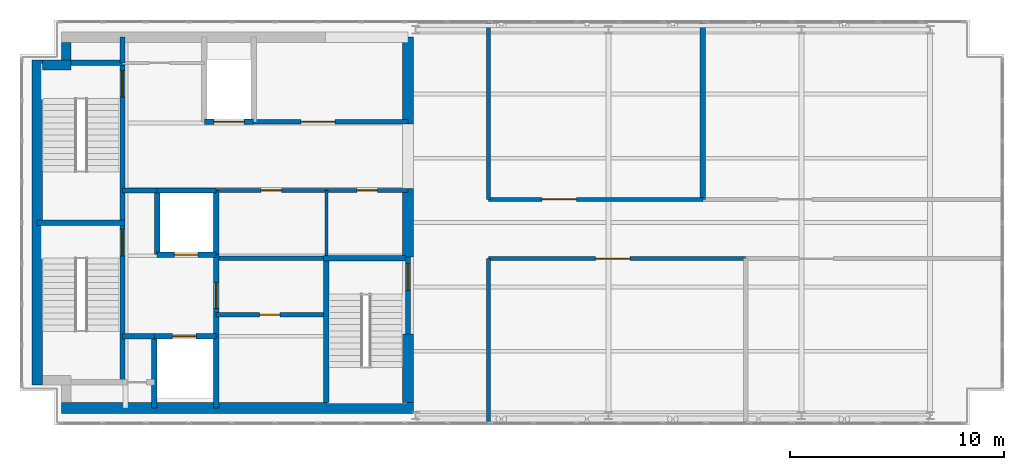
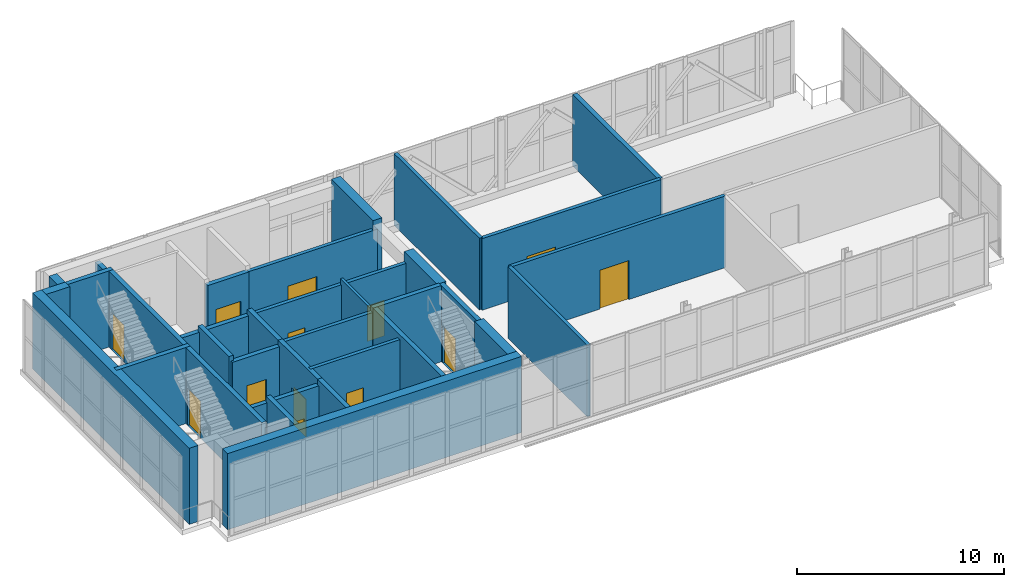
# One storey, part 18 of 21: 37 walls, 13 doors, 13 openings.
"""IFC4 building model written with IfcOpenShell, lengths in metres."""

from ifc_helpers import new_model, si_unit, direction, frame, frame_2d, origin, place, context, subcontext, project, spatial, rectangle, extrude, material, layer, layer_set, type_object, element, fill, save


model = new_model("IFC4")

# Units and contexts
model_context = context("Model", 3, precision=1e-05, world=origin(), true_north=direction((0.0, 1.0)))
body_context = subcontext(model_context, "Body", "Model", "MODEL_VIEW")
ifc_project = project(units=[si_unit("LENGTHUNIT", "METRE"), si_unit("AREAUNIT", "SQUARE_METRE"), si_unit("VOLUMEUNIT", "CUBIC_METRE"), si_unit("PLANEANGLEUNIT", "RADIAN"), si_unit("MASSUNIT", "GRAM", prefix="KILO")], contexts=[model_context])

# Site, building, storey
site_placement = place(None, origin())
site = spatial("IfcSite", under=ifc_project, at=site_placement, CompositionType="ELEMENT")
building_placement = place(site_placement, origin())
building = spatial("IfcBuilding", under=site, at=building_placement, Name="Mawjdan Bourse Tower", CompositionType="ELEMENT")
storey_placement = place(building_placement, frame((0.0, 0.0, 317.699951171875)))
storey = spatial("IfcBuildingStorey", under=building, at=storey_placement, Name="L78", CompositionType="ELEMENT", Elevation=317.699951171875)

# Wall, opening, door
ifc_material_1 = material(Name="Gypsum Fireboard Assembly")
ifc_layer_1 = layer(ifc_material_1, 0.199951171875)
ifc_layer_set_1 = layer_set([ifc_layer_1], Name="Gypsum Fireboard Assembly")
wall_type_1 = type_object("IfcWallType", Name="WL-CMP-200", PredefinedType="PARTITIONING", material=ifc_layer_set_1)
wall_1_placement = place(storey_placement, frame((16.449951171875, 16.699951171875, 0.0), z_axis=(0.0, 0.0, 1.0), x_axis=(1.0, 0.0, 0.0)))
wall_1 = element("IfcWall", 1, at=wall_1_placement, inside=storey, type_object=wall_type_1, Name="L78 Telemetry South Wall", PredefinedType="PARTITIONING", context=body_context, shape_type="SweptSolid", body=[
    extrude(rectangle(XDim=7.199951171875, YDim=0.199951171875, at=frame_2d((3.60009765625, 0.0))), origin(), (0.0, 0.0, 1.0), 3.920166015625),
])
opening_1_placement = place(wall_1_placement, frame((2.199951171875, 0.0, 0.0)))
opening_1 = element("IfcOpeningElement", 2, at=opening_1_placement, cuts=wall_1, Name="Opening PD-L78-10", PredefinedType="OPENING", context=body_context, shape_type="SweptSolid", body=[
    extrude(rectangle(XDim=1.60009765625, YDim=2.300048828125, at=frame_2d((0.800048828125, 1.14990234375))), frame((0.0, 0.10986328125, 0.0), z_axis=(0.0, -1.0, 0.0), x_axis=(1.0, 0.0, 0.0)), (0.0, 0.0, 1.0), 0.219970703125),
])
ifc_material_2 = material(Name="Fire-Rated Acoustic Steel", Category="steel")
door_type_1 = type_object("IfcDoorType", Name="FD-PLT-1600", OperationType="DOUBLE_DOOR_SINGLE_SWING", PredefinedType="DOOR", material=ifc_material_2)
door_1_placement = place(opening_1_placement, origin())
door_1 = element("IfcDoor", 3, at=door_1_placement, inside=storey, type_object=door_type_1, Name="L78 Telemetry Room Door PD-L78-10", OperationType="DOUBLE_DOOR_SINGLE_SWING", OverallHeight=2.300048828125, OverallWidth=1.60009765625, PredefinedType="DOOR", context=body_context, shape_type="SweptSolid", body=[
    extrude(rectangle(XDim=1.60009765625, YDim=2.300048828125, at=frame_2d((0.800048828125, 1.14990234375))), frame((0.0, 0.02490234375, 0.0), z_axis=(0.0, -1.0, 0.0), x_axis=(1.0, 0.0, 0.0)), (0.0, 0.0, 1.0), 0.050048828125),
])
fill(opening_1, door_1)

wall_2_placement = place(storey_placement, frame((14.699951171875, 7.699951171875, 0.0), z_axis=(0.0, 0.0, 1.0), x_axis=(1.0, 0.0, 0.0)))
wall_2 = element("IfcWall", 4, at=wall_2_placement, inside=storey, type_object=wall_type_1, Name="L78 Staff Tea Pantry North Wall", PredefinedType="PARTITIONING", context=body_context, shape_type="SweptSolid", body=[
    extrude(rectangle(XDim=5.0, YDim=0.199951171875, at=frame_2d((2.5, 0.0))), origin(), (0.0, 0.0, 1.0), 4.22998046875),
])
opening_2_placement = place(wall_2_placement, frame((2.02490234375, 0.0, 0.0)))
opening_2 = element("IfcOpeningElement", 5, at=opening_2_placement, cuts=wall_2, Name="Opening D-L78-11", PredefinedType="OPENING", context=body_context, shape_type="SweptSolid", body=[
    extrude(rectangle(XDim=0.949951171875, YDim=2.10009765625, at=frame_2d((0.47509765625, 1.050048828125))), frame((0.0, 0.10986328125, 0.0), z_axis=(0.0, -1.0, 0.0), x_axis=(1.0, 0.0, 0.0)), (0.0, 0.0, 1.0), 0.219970703125),
])
ifc_material_3 = material(Name="Moisture-Resistant Laminate Timber", Category="wood")
door_type_2 = type_object("IfcDoorType", Name="DR-WET-0950", OperationType="NOTDEFINED", PredefinedType="DOOR", material=ifc_material_3)
door_2_placement = place(opening_2_placement, origin())
door_2 = element("IfcDoor", 6, at=door_2_placement, inside=storey, type_object=door_type_2, Name="L78 Staff Tea Pantry Door D-L78-11", OperationType="SINGLE_SWING_LEFT", OverallHeight=2.10009765625, OverallWidth=0.949951171875, PredefinedType="DOOR", context=body_context, shape_type="SweptSolid", body=[
    extrude(rectangle(XDim=0.949951171875, YDim=2.10009765625, at=frame_2d((0.47509765625, 1.050048828125))), frame((0.0, 0.02490234375, 0.0), z_axis=(0.0, -1.0, 0.0), x_axis=(1.0, 0.0, 0.0)), (0.0, 0.0, 1.0), 0.050048828125),
])
fill(opening_2, door_2)

# Wall
wall_3_placement = place(storey_placement, frame((14.824951171875, 10.340087890625, 0.0), z_axis=(0.0, 0.0, 1.0), x_axis=(1.0, 0.0, 0.0)))
element("IfcWall", 7, at=wall_3_placement, inside=storey, type_object=wall_type_1, Name="L78 Core Restroom Suite South Wall", PredefinedType="PARTITIONING", context=body_context, shape_type="SweptSolid", body=[
    extrude(rectangle(XDim=4.880126953125, YDim=0.199951171875, at=frame_2d((2.43994140625, 0.0))), origin(), (0.0, 0.0, 1.0), 4.22998046875),
])

# Wall, opening, door
wall_4_placement = place(storey_placement, frame((14.699951171875, 13.5, 0.0), z_axis=(0.0, 0.0, 1.0), x_axis=(1.0, 0.0, 0.0)))
wall_4 = element("IfcWall", 8, at=wall_4_placement, inside=storey, type_object=wall_type_1, Name="L78 Accessible WC North Wall", PredefinedType="PARTITIONING", context=body_context, shape_type="SweptSolid", body=[
    extrude(rectangle(XDim=5.150146484375, YDim=0.199951171875, at=frame_2d((2.5751953125, 0.0))), origin(), (0.0, 0.0, 1.0), 3.920166015625),
])
opening_3_placement = place(wall_4_placement, frame((2.10009765625, 0.0, 0.0)))
opening_3 = element("IfcOpeningElement", 9, at=opening_3_placement, cuts=wall_4, Name="Opening D-L78-12", PredefinedType="OPENING", context=body_context, shape_type="SweptSolid", body=[
    extrude(rectangle(XDim=0.949951171875, YDim=2.10009765625, at=frame_2d((0.47509765625, 1.050048828125))), frame((0.0, 0.10986328125, 0.0), z_axis=(0.0, -1.0, 0.0), x_axis=(1.0, 0.0, 0.0)), (0.0, 0.0, 1.0), 0.219970703125),
])
door_3_placement = place(opening_3_placement, origin())
door_3 = element("IfcDoor", 10, at=door_3_placement, inside=storey, type_object=door_type_2, Name="L78 Accessible WC Door D-L78-12", OperationType="SINGLE_SWING_RIGHT", OverallHeight=2.10009765625, OverallWidth=0.949951171875, PredefinedType="DOOR", context=body_context, shape_type="SweptSolid", body=[
    extrude(rectangle(XDim=0.949951171875, YDim=2.10009765625, at=frame_2d((0.47509765625, 1.050048828125))), frame((0.0, 0.02490234375, 0.0), z_axis=(0.0, -1.0, 0.0), x_axis=(1.0, 0.0, 0.0)), (0.0, 0.0, 1.0), 0.050048828125),
])
fill(opening_3, door_3)

wall_5_placement = place(storey_placement, frame((19.85009765625, 13.5, 0.0), z_axis=(0.0, 0.0, 1.0), x_axis=(1.0, 0.0, 0.0)))
wall_5 = element("IfcWall", 11, at=wall_5_placement, inside=storey, type_object=wall_type_1, Name="L78 Executive Restroom Suite North Wall", PredefinedType="PARTITIONING", context=body_context, shape_type="SweptSolid", body=[
    extrude(rectangle(XDim=3.7998046875, YDim=0.199951171875, at=frame_2d((1.89990234375, 0.0))), origin(), (0.0, 0.0, 1.0), 3.920166015625),
])
opening_4_placement = place(wall_5_placement, frame((1.425048828125, 0.0, 0.0)))
opening_4 = element("IfcOpeningElement", 12, at=opening_4_placement, cuts=wall_5, Name="Opening D-L78-13", PredefinedType="OPENING", context=body_context, shape_type="SweptSolid", body=[
    extrude(rectangle(XDim=0.949951171875, YDim=2.10009765625, at=frame_2d((0.47509765625, 1.050048828125))), frame((0.0, 0.10986328125, 0.0), z_axis=(0.0, -1.0, 0.0), x_axis=(1.0, 0.0, 0.0)), (0.0, 0.0, 1.0), 0.219970703125),
])
door_4_placement = place(opening_4_placement, origin())
door_4 = element("IfcDoor", 13, at=door_4_placement, inside=storey, type_object=door_type_2, Name="L78 Executive Restroom Suite Door D-L78-13", OperationType="SINGLE_SWING_LEFT", OverallHeight=2.10009765625, OverallWidth=0.949951171875, PredefinedType="DOOR", context=body_context, shape_type="SweptSolid", body=[
    extrude(rectangle(XDim=0.949951171875, YDim=2.10009765625, at=frame_2d((0.47509765625, 1.050048828125))), frame((0.0, 0.02490234375, 0.0), z_axis=(0.0, -1.0, 0.0), x_axis=(1.0, 0.0, 0.0)), (0.0, 0.0, 1.0), 0.050048828125),
])
fill(opening_4, door_4)

# Wall
wall_6_placement = place(storey_placement, frame((27.39990234375, 2.659912109375, 0.0), z_axis=(0.0, 0.0, 1.0), x_axis=(0.0, 1.0, 0.0)))
element("IfcWall", 14, at=wall_6_placement, inside=storey, type_object=wall_type_1, Name="L78 AHU West Vestibule Wall", PredefinedType="PARTITIONING", context=body_context, shape_type="SweptSolid", body=[
    extrude(rectangle(XDim=7.66015625, YDim=0.199951171875, at=frame_2d((3.830078125, 0.0))), origin(), (0.0, 0.0, 1.0), 4.22998046875),
])

# Wall, opening, door
wall_7_placement = place(storey_placement, frame((27.39990234375, 10.320068359375, 0.0), z_axis=(0.0, 0.0, 1.0), x_axis=(1.0, 0.0, 0.0)))
wall_7 = element("IfcWall", 15, at=wall_7_placement, inside=storey, type_object=wall_type_1, Name="L78 AHU Plant North Wall", PredefinedType="PARTITIONING", context=body_context, shape_type="SweptSolid", body=[
    extrude(rectangle(XDim=12.0, YDim=0.199951171875, at=frame_2d((6.0, 0.0))), origin(), (0.0, 0.0, 1.0), 4.22998046875),
])
opening_5_placement = place(wall_7_placement, frame((5.0, 0.0, 0.0)))
opening_5 = element("IfcOpeningElement", 16, at=opening_5_placement, cuts=wall_7, Name="Opening PD-L78-15", PredefinedType="OPENING", context=body_context, shape_type="SweptSolid", body=[
    extrude(rectangle(XDim=1.60009765625, YDim=2.300048828125, at=frame_2d((0.800048828125, 1.14990234375))), frame((0.0, 0.10986328125, 0.0), z_axis=(0.0, -1.0, 0.0), x_axis=(1.0, 0.0, 0.0)), (0.0, 0.0, 1.0), 0.219970703125),
])
door_5_placement = place(opening_5_placement, origin())
door_5 = element("IfcDoor", 17, at=door_5_placement, inside=storey, type_object=door_type_1, Name="L78 AHU Plant Door PD-L78-15", OperationType="DOUBLE_DOOR_SINGLE_SWING", OverallHeight=2.300048828125, OverallWidth=1.60009765625, PredefinedType="DOOR", context=body_context, shape_type="SweptSolid", body=[
    extrude(rectangle(XDim=1.60009765625, YDim=2.300048828125, at=frame_2d((0.800048828125, 1.14990234375))), frame((0.0, 0.02490234375, 0.0), z_axis=(0.0, -1.0, 0.0), x_axis=(1.0, 0.0, 0.0)), (0.0, 0.0, 1.0), 0.050048828125),
])
fill(opening_5, door_5)

# Wall
wall_8_placement = place(storey_placement, frame((27.39990234375, 13.080078125, 0.0), z_axis=(0.0, 0.0, 1.0), x_axis=(0.0, 1.0, 0.0)))
element("IfcWall", 18, at=wall_8_placement, inside=storey, type_object=wall_type_1, Name="L78 Crown Plant West Wall", PredefinedType="PARTITIONING", context=body_context, shape_type="SweptSolid", body=[
    extrude(rectangle(XDim=8.260009765625, YDim=0.199951171875, at=frame_2d((4.1298828125, 0.0))), origin(), (0.0, 0.0, 1.0), 4.22998046875),
])

# Wall, opening, door
wall_9_placement = place(storey_placement, frame((27.39990234375, 13.080078125, 0.0), z_axis=(0.0, 0.0, 1.0), x_axis=(1.0, 0.0, 0.0)))
wall_9 = element("IfcWall", 19, at=wall_9_placement, inside=storey, type_object=wall_type_1, Name="L78 Crown Plant South Wall", PredefinedType="PARTITIONING", context=body_context, shape_type="SweptSolid", body=[
    extrude(rectangle(XDim=10.0, YDim=0.199951171875, at=frame_2d((5.0, 0.0))), origin(), (0.0, 0.0, 1.0), 4.22998046875),
])
opening_6_placement = place(wall_9_placement, frame((2.5, 0.0, 0.0)))
opening_6 = element("IfcOpeningElement", 20, at=opening_6_placement, cuts=wall_9, Name="Opening PD-L78-17", PredefinedType="OPENING", context=body_context, shape_type="SweptSolid", body=[
    extrude(rectangle(XDim=1.60009765625, YDim=2.300048828125, at=frame_2d((0.800048828125, 1.14990234375))), frame((0.0, 0.10986328125, 0.0), z_axis=(0.0, -1.0, 0.0), x_axis=(1.0, 0.0, 0.0)), (0.0, 0.0, 1.0), 0.219970703125),
])
door_6_placement = place(opening_6_placement, origin())
door_6 = element("IfcDoor", 21, at=door_6_placement, inside=storey, type_object=door_type_1, Name="L78 Crown Plant Door 1 PD-L78-17", OperationType="DOUBLE_DOOR_SINGLE_SWING", OverallHeight=2.300048828125, OverallWidth=1.60009765625, PredefinedType="DOOR", context=body_context, shape_type="SweptSolid", body=[
    extrude(rectangle(XDim=1.60009765625, YDim=2.300048828125, at=frame_2d((0.800048828125, 1.14990234375))), frame((0.0, 0.02490234375, 0.0), z_axis=(0.0, -1.0, 0.0), x_axis=(1.0, 0.0, 0.0)), (0.0, 0.0, 1.0), 0.050048828125),
])
fill(opening_6, door_6)

# Walls
ifc_material_4 = material(Name="Concrete C60/75", Category="concrete")
ifc_layer_2 = layer(ifc_material_4, 0.449951171875)
ifc_layer_set_2 = layer_set([ifc_layer_2], Name="Concrete C60/75")
wall_type_2 = type_object("IfcWallType", Name="WL-CORE-450", PredefinedType="SHEAR", material=ifc_layer_set_2)
wall_10_placement = place(storey_placement, frame((6.60009765625, 19.35009765625, 0.0), z_axis=(0.0, 0.0, 1.0), x_axis=(1.0, 0.0, 0.0)))
element("IfcWall", 22, at=wall_10_placement, inside=storey, type_object=wall_type_2, Name="L78 Rear Core Shear Wall NW-X", PredefinedType="SHEAR", context=body_context, shape_type="SweptSolid", body=[
    extrude(rectangle(XDim=1.324951171875, YDim=0.449951171875, at=frame_2d((0.66259765625, 0.0))), origin(), (0.0, 0.0, 1.0), 4.5),
])
wall_11_placement = place(storey_placement, frame((7.699951171875, 19.574951171875, 0.0), z_axis=(0.0, 0.0, 1.0), x_axis=(0.0, 1.0, 0.0)))
element("IfcWall", 23, at=wall_11_placement, inside=storey, type_object=wall_type_2, Name="L78 Rear Core Shear Wall NW-Y", PredefinedType="SHEAR", context=body_context, shape_type="SweptSolid", body=[
    extrude(rectangle(XDim=0.824951171875, YDim=0.449951171875, at=frame_2d((0.41259765625, 0.0))), origin(), (0.0, 0.0, 1.0), 4.5),
])
ifc_layer_3 = layer(ifc_material_4, 0.5)
ifc_layer_set_3 = layer_set([ifc_layer_3], Name="Concrete C60/75")
wall_type_3 = type_object("IfcWallType", Name="WL-CORE-500", PredefinedType="SHEAR", material=ifc_layer_set_3)
wall_12_placement = place(storey_placement, frame((7.47509765625, 3.35009765625, 0.0), z_axis=(0.0, 0.0, 1.0), x_axis=(1.0, 0.0, 0.0)))
element("IfcWall", 24, at=wall_12_placement, inside=storey, type_object=wall_type_3, Name="L78 Rear Core Shear Wall S", PredefinedType="SHEAR", context=body_context, shape_type="SweptSolid", body=[
    extrude(rectangle(XDim=16.4248046875, YDim=0.5, at=frame_2d((8.21240234375, 0.0))), origin(), (0.0, 0.0, 1.0), 4.5),
])
wall_13_placement = place(storey_placement, frame((6.35009765625, 4.425048828125, 0.0), z_axis=(0.0, 0.0, 1.0), x_axis=(0.0, 1.0, 0.0)))
element("IfcWall", 25, at=wall_13_placement, inside=storey, type_object=wall_type_3, Name="L78 Rear Core Shear Wall W", PredefinedType="SHEAR", context=body_context, shape_type="SweptSolid", body=[
    extrude(rectangle(XDim=15.14990234375, YDim=0.5, at=frame_2d((7.574951171875, 0.0))), origin(), (0.0, 0.0, 1.0), 4.5),
])
wall_14_placement = place(storey_placement, frame((23.64990234375, 3.60009765625, 0.0), z_axis=(0.0, 0.0, 1.0), x_axis=(0.0, 1.0, 0.0)))
element("IfcWall", 26, at=wall_14_placement, inside=storey, type_object=wall_type_3, Name="L78 Rear Core Shear Wall E1", PredefinedType="SHEAR", context=body_context, shape_type="SweptSolid", body=[
    extrude(rectangle(XDim=3.199951171875, YDim=0.5, at=frame_2d((1.60009765625, 0.0))), origin(), (0.0, 0.0, 1.0), 4.5),
])
wall_15_placement = place(storey_placement, frame((23.64990234375, 10.39990234375, 0.0), z_axis=(0.0, 0.0, 1.0), x_axis=(0.0, 1.0, 0.0)))
element("IfcWall", 27, at=wall_15_placement, inside=storey, type_object=wall_type_3, Name="L78 Rear Core Shear Wall E2", PredefinedType="SHEAR", context=body_context, shape_type="SweptSolid", body=[
    extrude(rectangle(XDim=3.2001953125, YDim=0.5, at=frame_2d((1.60009765625, 0.0))), origin(), (0.0, 0.0, 1.0), 4.5),
])
wall_16_placement = place(storey_placement, frame((23.64990234375, 16.60009765625, 0.0), z_axis=(0.0, 0.0, 1.0), x_axis=(0.0, 1.0, 0.0)))
element("IfcWall", 28, at=wall_16_placement, inside=storey, type_object=wall_type_3, Name="L78 Rear Core Shear Wall E3", PredefinedType="SHEAR", context=body_context, shape_type="SweptSolid", body=[
    extrude(rectangle(XDim=4.0498046875, YDim=0.5, at=frame_2d((2.02490234375, 0.0))), origin(), (0.0, 0.0, 1.0), 4.5),
])
ifc_material_5 = material(Name="Gypsum Acoustic Partition")
ifc_layer_4 = layer(ifc_material_5, 0.14990234375)
ifc_layer_set_4 = layer_set([ifc_layer_4], Name="Gypsum Acoustic Partition")
wall_type_4 = type_object("IfcWallType", Name="WL-PRT-150", PredefinedType="PARTITIONING", material=ifc_layer_set_4)
wall_17_placement = place(storey_placement, frame((19.85009765625, 10.465087890625, 0.0), z_axis=(0.0, 0.0, 1.0), x_axis=(0.0, 1.0, 0.0)))
element("IfcWall", 29, at=wall_17_placement, inside=storey, type_object=wall_type_4, Name="L78 Executive Restroom Suite Split Wall", PredefinedType="PARTITIONING", context=body_context, shape_type="SweptSolid", body=[
    extrude(rectangle(XDim=3.034912109375, YDim=0.14990234375, at=frame_2d((1.517578125, 0.0))), origin(), (0.0, 0.0, 1.0), 4.22998046875),
])
ifc_material_6 = material(Name="Concrete C50/60", Category="concrete")
ifc_layer_5 = layer(ifc_material_6, 0.25)
ifc_layer_set_5 = layer_set([ifc_layer_5], Name="Concrete C50/60")
wall_type_5 = type_object("IfcWallType", Name="WL-SHFT-250", PredefinedType="PARTITIONING", material=ifc_layer_set_5)
wall_18_placement = place(storey_placement, frame((11.820068359375, 3.35009765625, 0.0), z_axis=(0.0, 0.0, 1.0), x_axis=(0.0, 1.0, 0.0)))
element("IfcWall", 30, at=wall_18_placement, inside=storey, type_object=wall_type_5, Name="L78 SW Riser & FFL01 West Wall", PredefinedType="PARTITIONING", context=body_context, shape_type="SweptSolid", body=[
    extrude(rectangle(XDim=3.349853515625, YDim=0.25, at=frame_2d((1.6748046875, 0.0))), origin(), (0.0, 0.0, 1.0), 4.22998046875),
])
wall_19_placement = place(storey_placement, frame((10.330078125, 19.449951171875, 0.0), z_axis=(0.0, 0.0, 1.0), x_axis=(0.0, 1.0, 0.0)))
element("IfcWall", 31, at=wall_19_placement, inside=storey, type_object=wall_type_5, Name="L78 NW Riser East Wall", PredefinedType="PARTITIONING", context=body_context, shape_type="SweptSolid", body=[
    extrude(rectangle(XDim=1.199951171875, YDim=0.25, at=frame_2d((0.60009765625, 0.0))), origin(), (0.0, 0.0, 1.0), 4.22998046875),
])

# Wall, opening, door
wall_20_placement = place(storey_placement, frame((11.820068359375, 6.699951171875, 0.0), z_axis=(0.0, 0.0, 1.0), x_axis=(1.0, 0.0, 0.0)))
wall_20 = element("IfcWall", 32, at=wall_20_placement, inside=storey, type_object=wall_type_5, Name="L78 FFL-01 Front Shaft Wall", PredefinedType="PARTITIONING", context=body_context, shape_type="SweptSolid", body=[
    extrude(rectangle(XDim=2.8798828125, YDim=0.25, at=frame_2d((1.43994140625, 0.0))), origin(), (0.0, 0.0, 1.0), 3.920166015625),
])
opening_7_placement = place(wall_20_placement, frame((0.85009765625, 0.0, 0.0)))
opening_7 = element("IfcOpeningElement", 33, at=opening_7_placement, cuts=wall_20, Name="Opening LD-L78-05", PredefinedType="OPENING", context=body_context, shape_type="SweptSolid", body=[
    extrude(rectangle(XDim=1.10009765625, YDim=2.25, at=frame_2d((0.550048828125, 1.125))), frame((0.0, 0.135009765625, 0.0), z_axis=(0.0, -1.0, 0.0), x_axis=(1.0, 0.0, 0.0)), (0.0, 0.0, 1.0), 0.27001953125),
])
ifc_material_7 = material(Name="Brushed Stainless Steel", Category="steel")
door_type_3 = type_object("IfcDoorType", Name="LD-FFL-1100", OperationType="DOUBLE_DOOR_SLIDING", PredefinedType="DOOR", material=ifc_material_7)
door_7_placement = place(opening_7_placement, origin())
door_7 = element("IfcDoor", 34, at=door_7_placement, inside=storey, type_object=door_type_3, Name="L78 Firefighting Lift FFL-01 Landing Door LD-L78-05", OperationType="DOUBLE_DOOR_SLIDING", OverallHeight=2.25, OverallWidth=1.10009765625, PredefinedType="DOOR", context=body_context, shape_type="SweptSolid", body=[
    extrude(rectangle(XDim=1.10009765625, YDim=2.25, at=frame_2d((0.550048828125, 1.125))), frame((0.0, 0.02490234375, 0.0), z_axis=(0.0, -1.0, 0.0), x_axis=(1.0, 0.0, 0.0)), (0.0, 0.0, 1.0), 0.050048828125),
])
fill(opening_7, door_7)

# Wall
wall_21_placement = place(storey_placement, frame((14.699951171875, 3.35009765625, 0.0), z_axis=(0.0, 0.0, 1.0), x_axis=(0.0, 1.0, 0.0)))
element("IfcWall", 35, at=wall_21_placement, inside=storey, type_object=wall_type_5, Name="L78 FFL-01 East Shaft Wall", PredefinedType="PARTITIONING", context=body_context, shape_type="SweptSolid", body=[
    extrude(rectangle(XDim=3.349853515625, YDim=0.25, at=frame_2d((1.6748046875, 0.0))), origin(), (0.0, 0.0, 1.0), 4.22998046875),
])

# Wall, opening, door
wall_22_placement = place(storey_placement, frame((11.949951171875, 10.5, 0.0), z_axis=(0.0, 0.0, 1.0), x_axis=(1.0, 0.0, 0.0)))
wall_22 = element("IfcWall", 36, at=wall_22_placement, inside=storey, type_object=wall_type_5, Name="L78 FFL-02 Front Shaft Wall", PredefinedType="PARTITIONING", context=body_context, shape_type="SweptSolid", body=[
    extrude(rectangle(XDim=2.75, YDim=0.25, at=frame_2d((1.375, 0.0))), origin(), (0.0, 0.0, 1.0), 3.920166015625),
])
opening_8_placement = place(wall_22_placement, frame((0.800048828125, 0.0, 0.0)))
opening_8 = element("IfcOpeningElement", 37, at=opening_8_placement, cuts=wall_22, Name="Opening LD-L78-06", PredefinedType="OPENING", context=body_context, shape_type="SweptSolid", body=[
    extrude(rectangle(XDim=1.10009765625, YDim=2.25, at=frame_2d((0.550048828125, 1.125))), frame((0.0, 0.135009765625, 0.0), z_axis=(0.0, -1.0, 0.0), x_axis=(1.0, 0.0, 0.0)), (0.0, 0.0, 1.0), 0.27001953125),
])
door_8_placement = place(opening_8_placement, origin())
door_8 = element("IfcDoor", 38, at=door_8_placement, inside=storey, type_object=door_type_3, Name="L78 Firefighting Lift FFL-02 Landing Door LD-L78-06", OperationType="DOUBLE_DOOR_SLIDING", OverallHeight=2.25, OverallWidth=1.10009765625, PredefinedType="DOOR", context=body_context, shape_type="SweptSolid", body=[
    extrude(rectangle(XDim=1.10009765625, YDim=2.25, at=frame_2d((0.550048828125, 1.125))), frame((0.0, 0.02490234375, 0.0), z_axis=(0.0, -1.0, 0.0), x_axis=(1.0, 0.0, 0.0)), (0.0, 0.0, 1.0), 0.050048828125),
])
fill(opening_8, door_8)

# Walls
wall_23_placement = place(storey_placement, frame((11.949951171875, 10.5, 0.0), z_axis=(0.0, 0.0, 1.0), x_axis=(0.0, 1.0, 0.0)))
element("IfcWall", 39, at=wall_23_placement, inside=storey, type_object=wall_type_5, Name="L78 FFL-02 West Shaft Wall", PredefinedType="PARTITIONING", context=body_context, shape_type="SweptSolid", body=[
    extrude(rectangle(XDim=3.0, YDim=0.25, at=frame_2d((1.5, 0.0))), origin(), (0.0, 0.0, 1.0), 4.22998046875),
])
wall_24_placement = place(storey_placement, frame((11.949951171875, 13.5, 0.0), z_axis=(0.0, 0.0, 1.0), x_axis=(1.0, 0.0, 0.0)))
element("IfcWall", 40, at=wall_24_placement, inside=storey, type_object=wall_type_5, Name="L78 FFL-02 North Shaft Wall", PredefinedType="PARTITIONING", context=body_context, shape_type="SweptSolid", body=[
    extrude(rectangle(XDim=2.75, YDim=0.25, at=frame_2d((1.375, 0.0))), origin(), (0.0, 0.0, 1.0), 3.920166015625),
])
wall_25_placement = place(storey_placement, frame((14.699951171875, 10.5, 0.0), z_axis=(0.0, 0.0, 1.0), x_axis=(0.0, 1.0, 0.0)))
element("IfcWall", 41, at=wall_25_placement, inside=storey, type_object=wall_type_5, Name="L78 FFL-02 East Shaft Wall", PredefinedType="PARTITIONING", context=body_context, shape_type="SweptSolid", body=[
    extrude(rectangle(XDim=3.0, YDim=0.25, at=frame_2d((1.5, 0.0))), origin(), (0.0, 0.0, 1.0), 4.22998046875),
])

# Wall, opening, door
wall_26_placement = place(storey_placement, frame((14.699951171875, 6.699951171875, 0.0), z_axis=(0.0, 0.0, 1.0), x_axis=(0.0, 1.0, 0.0)))
wall_26 = element("IfcWall", 42, at=wall_26_placement, inside=storey, type_object=wall_type_5, Name="L78 Firefighting Lobby East Compartment Wall", PredefinedType="PARTITIONING", context=body_context, shape_type="SweptSolid", body=[
    extrude(rectangle(XDim=3.800048828125, YDim=0.25, at=frame_2d((1.89990234375, 0.0))), origin(), (0.0, 0.0, 1.0), 4.22998046875),
])
opening_9_placement = place(wall_26_placement, frame((1.300048828125, 0.0, 0.0)))
opening_9 = element("IfcOpeningElement", 43, at=opening_9_placement, cuts=wall_26, Name="Opening FD-L78-07", PredefinedType="OPENING", context=body_context, shape_type="SweptSolid", body=[
    extrude(rectangle(XDim=1.199951171875, YDim=2.199951171875, at=frame_2d((0.60009765625, 1.10009765625))), frame((0.0, 0.135009765625, 0.0), z_axis=(0.0, -1.0, 0.0), x_axis=(1.0, 0.0, 0.0)), (0.0, 0.0, 1.0), 0.27001953125),
])
ifc_material_8 = material(Name="Fire-Rated Steel Leaf", Category="steel")
door_type_4 = type_object("IfcDoorType", Name="FD-FFL-1200", OperationType="NOTDEFINED", PredefinedType="DOOR", material=ifc_material_8)
door_9_placement = place(opening_9_placement, origin())
door_9 = element("IfcDoor", 44, at=door_9_placement, inside=storey, type_object=door_type_4, Name="L78 Firefighting Lobby East Smoke Door FD-L78-07", OperationType="SINGLE_SWING_LEFT", OverallHeight=2.199951171875, OverallWidth=1.199951171875, PredefinedType="DOOR", context=body_context, shape_type="SweptSolid", body=[
    extrude(rectangle(XDim=1.199951171875, YDim=2.199951171875, at=frame_2d((0.60009765625, 1.10009765625))), frame((0.0, 0.02490234375, 0.0), z_axis=(0.0, -1.0, 0.0), x_axis=(1.0, 0.0, 0.0)), (0.0, 0.0, 1.0), 0.050048828125),
])
fill(opening_9, door_9)

# Walls
wall_27_placement = place(storey_placement, frame((10.330078125, 13.5, 0.0), z_axis=(0.0, 0.0, 1.0), x_axis=(1.0, 0.0, 0.0)))
element("IfcWall", 45, at=wall_27_placement, inside=storey, type_object=wall_type_5, Name="L78 Firefighting Lobby North Compartment Wall", PredefinedType="PARTITIONING", context=body_context, shape_type="SweptSolid", body=[
    extrude(rectangle(XDim=1.619873046875, YDim=0.25, at=frame_2d((0.81005859375, 0.0))), origin(), (0.0, 0.0, 1.0), 3.920166015625),
])
wall_28_placement = place(storey_placement, frame((10.330078125, 6.699951171875, 0.0), z_axis=(0.0, 0.0, 1.0), x_axis=(1.0, 0.0, 0.0)))
element("IfcWall", 46, at=wall_28_placement, inside=storey, type_object=wall_type_5, Name="L78 Firefighting Lobby South Closure Wall", PredefinedType="PARTITIONING", context=body_context, shape_type="SweptSolid", body=[
    extrude(rectangle(XDim=1.489990234375, YDim=0.25, at=frame_2d((0.7451171875, 0.0))), origin(), (0.0, 0.0, 1.0), 3.920166015625),
])

# Wall, opening, door
wall_29_placement = place(storey_placement, frame((14.14990234375, 16.699951171875, 0.0), z_axis=(0.0, 0.0, 1.0), x_axis=(1.0, 0.0, 0.0)))
wall_29 = element("IfcWall", 47, at=wall_29_placement, inside=storey, type_object=wall_type_5, Name="L78 SVL-01 Front Shaft Wall", PredefinedType="PARTITIONING", context=body_context, shape_type="SweptSolid", body=[
    extrude(rectangle(XDim=2.300048828125, YDim=0.25, at=frame_2d((1.14990234375, 0.0))), origin(), (0.0, 0.0, 1.0), 3.920166015625),
])
opening_10_placement = place(wall_29_placement, frame((0.449951171875, 0.0, 0.0)))
opening_10 = element("IfcOpeningElement", 48, at=opening_10_placement, cuts=wall_29, Name="Opening LD-L78-09", PredefinedType="OPENING", context=body_context, shape_type="SweptSolid", body=[
    extrude(rectangle(XDim=1.39990234375, YDim=2.35009765625, at=frame_2d((0.699951171875, 1.175048828125))), frame((0.0, 0.135009765625, 0.0), z_axis=(0.0, -1.0, 0.0), x_axis=(1.0, 0.0, 0.0)), (0.0, 0.0, 1.0), 0.27001953125),
])
ifc_material_9 = material(Name="Heavy-Duty Stainless Steel", Category="steel")
door_type_5 = type_object("IfcDoorType", Name="LD-SRV-1400", OperationType="DOUBLE_DOOR_SLIDING", PredefinedType="DOOR", material=ifc_material_9)
door_10_placement = place(opening_10_placement, origin())
door_10 = element("IfcDoor", 49, at=door_10_placement, inside=storey, type_object=door_type_5, Name="L78 Service Lift SVL-01 Landing Door LD-L78-09", OperationType="DOUBLE_DOOR_SLIDING", OverallHeight=2.35009765625, OverallWidth=1.39990234375, PredefinedType="DOOR", context=body_context, shape_type="SweptSolid", body=[
    extrude(rectangle(XDim=1.39990234375, YDim=2.35009765625, at=frame_2d((0.699951171875, 1.175048828125))), frame((0.0, 0.02490234375, 0.0), z_axis=(0.0, -1.0, 0.0), x_axis=(1.0, 0.0, 0.0)), (0.0, 0.0, 1.0), 0.050048828125),
])
fill(opening_10, door_10)

# Walls
wall_30_placement = place(storey_placement, frame((37.39990234375, 13.080078125, 0.0), z_axis=(0.0, 0.0, 1.0), x_axis=(0.0, 1.0, 0.0)))
element("IfcWall", 50, at=wall_30_placement, inside=storey, type_object=wall_type_5, Name="L78 Switchgear West Firewall", PredefinedType="PARTITIONING", context=body_context, shape_type="SweptSolid", body=[
    extrude(rectangle(XDim=8.260009765625, YDim=0.25, at=frame_2d((4.1298828125, 0.0))), origin(), (0.0, 0.0, 1.0), 4.22998046875),
])
ifc_layer_6 = layer(ifc_material_6, 0.25)
ifc_layer_set_6 = layer_set([ifc_layer_6], Name="Concrete C50/60")
wall_type_6 = type_object("IfcWallType", Name="WL-STRW-250", PredefinedType="SHEAR", material=ifc_layer_set_6)
wall_31_placement = place(storey_placement, frame((6.35009765625, 12.0, 0.0), z_axis=(0.0, 0.0, 1.0), x_axis=(1.0, 0.0, 0.0)))
element("IfcWall", 51, at=wall_31_placement, inside=storey, type_object=wall_type_6, Name="L78 Stairwell Dividing Shaft Wall", PredefinedType="SHEAR", context=body_context, shape_type="SweptSolid", body=[
    extrude(rectangle(XDim=4.10498046875, YDim=0.25, at=frame_2d((2.052490234375, 0.0))), origin(), (0.0, 0.0, 1.0), 4.5),
])
wall_32_placement = place(storey_placement, frame((7.699951171875, 19.449951171875, 0.0), z_axis=(0.0, 0.0, 1.0), x_axis=(1.0, 0.0, 0.0)))
element("IfcWall", 52, at=wall_32_placement, inside=storey, type_object=wall_type_6, Name="L78 Stairwell ST2 North Shaft Wall", PredefinedType="SHEAR", context=body_context, shape_type="SweptSolid", body=[
    extrude(rectangle(XDim=2.755126953125, YDim=0.25, at=frame_2d((1.37744140625, 0.0))), origin(), (0.0, 0.0, 1.0), 4.5),
])

# Wall, opening, door
wall_33_placement = place(storey_placement, frame((10.330078125, 4.550048828125, 0.0), z_axis=(0.0, 0.0, 1.0), x_axis=(0.0, 1.0, 0.0)))
wall_33 = element("IfcWall", 53, at=wall_33_placement, inside=storey, type_object=wall_type_6, Name="L78 Stairwell ST1 East Enclosure Wall", PredefinedType="SHEAR", context=body_context, shape_type="SweptSolid", body=[
    extrude(rectangle(XDim=7.449951171875, YDim=0.25, at=frame_2d((3.72509765625, 0.0))), origin(), (0.0, 0.0, 1.0), 4.5),
])
opening_11_placement = place(wall_33_placement, frame((5.89990234375, 0.0, 0.0)))
opening_11 = element("IfcOpeningElement", 54, at=opening_11_placement, cuts=wall_33, Name="Opening SD-L78-01", PredefinedType="OPENING", context=body_context, shape_type="SweptSolid", body=[
    extrude(rectangle(XDim=1.25, YDim=2.199951171875, at=frame_2d((0.625, 1.10009765625))), frame((0.0, 0.135009765625, 0.0), z_axis=(0.0, -1.0, 0.0), x_axis=(1.0, 0.0, 0.0)), (0.0, 0.0, 1.0), 0.27001953125),
])
door_type_6 = type_object("IfcDoorType", Name="FD-ST-1250", OperationType="NOTDEFINED", PredefinedType="DOOR", material=ifc_material_8)
door_11_placement = place(opening_11_placement, origin())
door_11 = element("IfcDoor", 55, at=door_11_placement, inside=storey, type_object=door_type_6, Name="L78 Exit Stair ST1 Fire Door SD-L78-01", OperationType="SINGLE_SWING_LEFT", OverallHeight=2.199951171875, OverallWidth=1.25, PredefinedType="DOOR", context=body_context, shape_type="SweptSolid", body=[
    extrude(rectangle(XDim=1.25, YDim=2.199951171875, at=frame_2d((0.625, 1.10009765625))), frame((0.0, 0.02490234375, 0.0), z_axis=(0.0, -1.0, 0.0), x_axis=(1.0, 0.0, 0.0)), (0.0, 0.0, 1.0), 0.050048828125),
])
fill(opening_11, door_11)

wall_34_placement = place(storey_placement, frame((10.330078125, 12.0, 0.0), z_axis=(0.0, 0.0, 1.0), x_axis=(0.0, 1.0, 0.0)))
wall_34 = element("IfcWall", 56, at=wall_34_placement, inside=storey, type_object=wall_type_6, Name="L78 Stairwell ST2 East Enclosure Wall", PredefinedType="SHEAR", context=body_context, shape_type="SweptSolid", body=[
    extrude(rectangle(XDim=7.449951171875, YDim=0.25, at=frame_2d((3.72509765625, 0.0))), origin(), (0.0, 0.0, 1.0), 4.5),
])
opening_12_placement = place(wall_34_placement, frame((5.85009765625, 0.0, 0.0)))
opening_12 = element("IfcOpeningElement", 57, at=opening_12_placement, cuts=wall_34, Name="Opening SD-L78-02", PredefinedType="OPENING", context=body_context, shape_type="SweptSolid", body=[
    extrude(rectangle(XDim=1.25, YDim=2.199951171875, at=frame_2d((0.625, 1.10009765625))), frame((0.0, 0.135009765625, 0.0), z_axis=(0.0, -1.0, 0.0), x_axis=(1.0, 0.0, 0.0)), (0.0, 0.0, 1.0), 0.27001953125),
])
door_12_placement = place(opening_12_placement, origin())
door_12 = element("IfcDoor", 58, at=door_12_placement, inside=storey, type_object=door_type_6, Name="L78 Exit Stair ST2 Fire Door SD-L78-02", OperationType="SINGLE_SWING_RIGHT", OverallHeight=2.199951171875, OverallWidth=1.25, PredefinedType="DOOR", context=body_context, shape_type="SweptSolid", body=[
    extrude(rectangle(XDim=1.25, YDim=2.199951171875, at=frame_2d((0.625, 1.10009765625))), frame((0.0, 0.02490234375, 0.0), z_axis=(0.0, -1.0, 0.0), x_axis=(1.0, 0.0, 0.0)), (0.0, 0.0, 1.0), 0.050048828125),
])
fill(opening_12, door_12)

# Walls
wall_35_placement = place(storey_placement, frame((19.830078125, 3.60009765625, 0.0), z_axis=(0.0, 0.0, 1.0), x_axis=(0.0, 1.0, 0.0)))
element("IfcWall", 59, at=wall_35_placement, inside=storey, type_object=wall_type_6, Name="L78 ST7 West Shaft Wall", PredefinedType="SHEAR", context=body_context, shape_type="SweptSolid", body=[
    extrude(rectangle(XDim=6.739990234375, YDim=0.25, at=frame_2d((3.3701171875, 0.0))), origin(), (0.0, 0.0, 1.0), 4.5),
])
wall_36_placement = place(storey_placement, frame((19.705078125, 10.340087890625, 0.0), z_axis=(0.0, 0.0, 1.0), x_axis=(1.0, 0.0, 0.0)))
element("IfcWall", 60, at=wall_36_placement, inside=storey, type_object=wall_type_6, Name="L78 ST7 North Shaft Wall", PredefinedType="SHEAR", context=body_context, shape_type="SweptSolid", body=[
    extrude(rectangle(XDim=3.81982421875, YDim=0.25, at=frame_2d((1.909912109375, 0.0))), origin(), (0.0, 0.0, 1.0), 4.5),
])

# Wall, opening, door
wall_37_placement = place(storey_placement, frame((23.64990234375, 6.800048828125, 0.0), z_axis=(0.0, 0.0, 1.0), x_axis=(0.0, 1.0, 0.0)))
wall_37 = element("IfcWall", 61, at=wall_37_placement, inside=storey, type_object=wall_type_6, Name="L78 ST7 East Shaft Wall", PredefinedType="SHEAR", context=body_context, shape_type="SweptSolid", body=[
    extrude(rectangle(XDim=3.599853515625, YDim=0.25, at=frame_2d((1.7998046875, 0.0))), origin(), (0.0, 0.0, 1.0), 4.5),
])
opening_13_placement = place(wall_37_placement, frame((2.0400390625, 0.0, 0.0)))
opening_13 = element("IfcOpeningElement", 62, at=opening_13_placement, cuts=wall_37, Name="Opening SD-L78-19", PredefinedType="OPENING", context=body_context, shape_type="SweptSolid", body=[
    extrude(rectangle(XDim=1.25, YDim=2.199951171875, at=frame_2d((0.625, 1.10009765625))), frame((0.0, 0.135009765625, 0.0), z_axis=(0.0, -1.0, 0.0), x_axis=(1.0, 0.0, 0.0)), (0.0, 0.0, 1.0), 0.27001953125),
])
door_13_placement = place(opening_13_placement, origin())
door_13 = element("IfcDoor", 63, at=door_13_placement, inside=storey, type_object=door_type_6, Name="L78 Stair ST7 Fire Door SD-L78-19", OperationType="SINGLE_SWING_LEFT", OverallHeight=2.199951171875, OverallWidth=1.25, PredefinedType="DOOR", context=body_context, shape_type="SweptSolid", body=[
    extrude(rectangle(XDim=1.25, YDim=2.199951171875, at=frame_2d((0.625, 1.10009765625))), frame((0.0, 0.02490234375, 0.0), z_axis=(0.0, -1.0, 0.0), x_axis=(1.0, 0.0, 0.0)), (0.0, 0.0, 1.0), 0.050048828125),
])
fill(opening_13, door_13)

save(model, "model.ifc")
